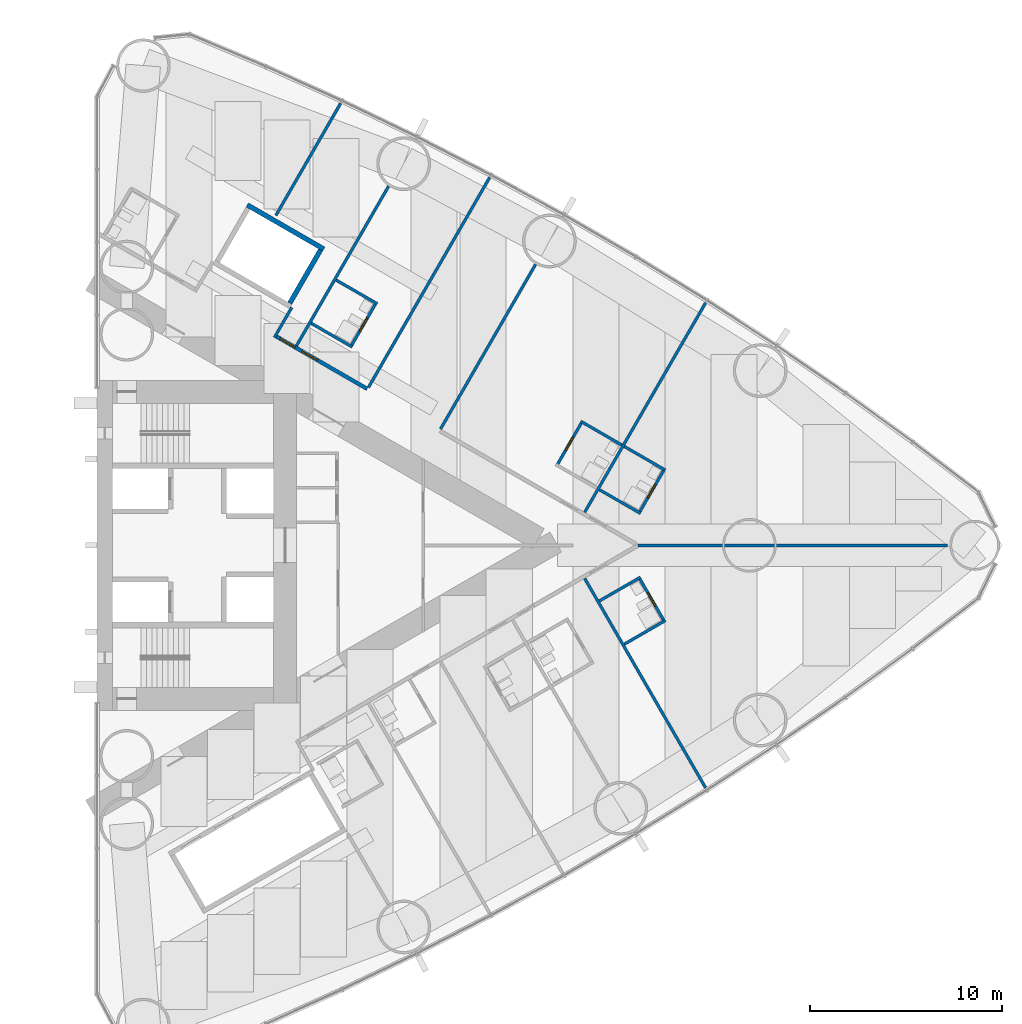
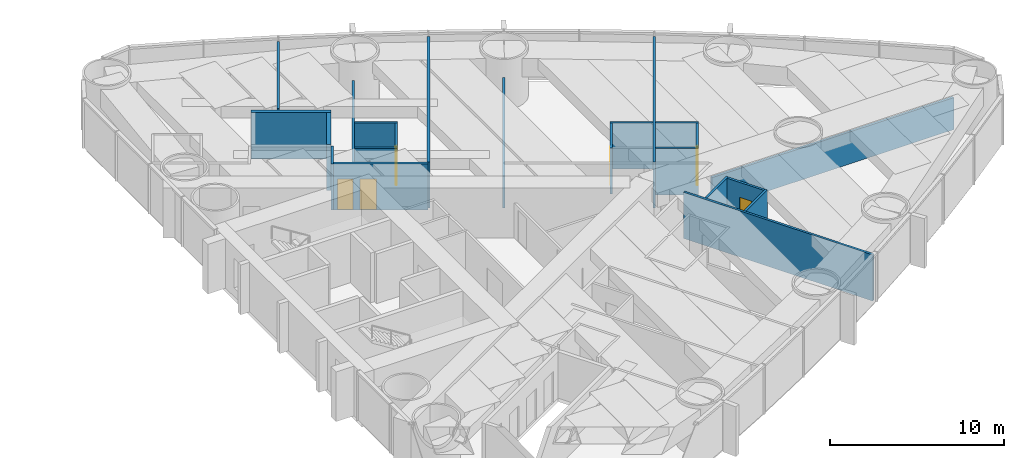
# One storey, part 15 of 18: 22 walls, 6 doors, 6 openings.
"""IFC4 building model written with IfcOpenShell, lengths in metres."""

from ifc_helpers import new_model, si_unit, direction, frame, frame_2d, origin, place, context, subcontext, project, spatial, rectangle, extrude, material, layer, layer_set, type_object, element, fill, save


model = new_model("IFC4")

# Units and contexts
model_context = context("Model", 3, precision=1e-05, world=origin(), true_north=direction((0.0, 1.0)))
body_context = subcontext(model_context, "Body", "Model", "MODEL_VIEW")
ifc_project = project(units=[si_unit("LENGTHUNIT", "METRE"), si_unit("AREAUNIT", "SQUARE_METRE"), si_unit("VOLUMEUNIT", "CUBIC_METRE"), si_unit("PLANEANGLEUNIT", "RADIAN"), si_unit("MASSUNIT", "GRAM", prefix="KILO")], contexts=[model_context])

# Site, building, storey
site_placement = place(None, origin())
site = spatial("IfcSite", under=ifc_project, at=site_placement, CompositionType="ELEMENT")
building_placement = place(site_placement, origin())
building = spatial("IfcBuilding", under=site, at=building_placement, Name="Lancet Gate Hotel", CompositionType="ELEMENT")
storey_placement = place(building_placement, frame((0.0, 0.0, 53.0)))
storey = spatial("IfcBuildingStorey", under=building, at=storey_placement, Name="L13", CompositionType="ELEMENT", Elevation=53.0)

# Wall
ifc_material_1 = material(Name="Moisture resistant board partition")
ifc_layer_1 = layer(ifc_material_1, 0.14990234375)
ifc_layer_set_1 = layer_set([ifc_layer_1], Name="Bathroom wall 150")
wall_type_1 = type_object("IfcWallType", Name="Bathroom wall 150", PredefinedType="PARTITIONING", material=ifc_layer_set_1)
wall_1_placement = place(storey_placement, frame((54.979736328125, -5.1513671875, 0.0), z_axis=(0.0, 0.0, 1.0), x_axis=(0.86604923931, 0.499958713387, 0.0)))
element("IfcWall", 1, at=wall_1_placement, inside=storey, type_object=wall_type_1, Name="T2 bathroom wall 150 L13", PredefinedType="PARTITIONING", context=body_context, shape_type="SweptSolid", body=[
    extrude(rectangle(XDim=2.474853515625, YDim=0.14990234375, at=frame_2d((1.2373046875, 0.0))), origin(), (0.0, 0.0, 1.0), 3.25),
])

# Wall, opening, door
wall_2_placement = place(storey_placement, frame((55.758056640625, -1.69970703125, 0.0), z_axis=(0.0, 0.0, 1.0), x_axis=(0.500006934395, -0.866021400173, 0.0)))
wall_2 = element("IfcWall", 2, at=wall_2_placement, inside=storey, type_object=wall_type_1, Name="T2 bathroom wall 150 L13", PredefinedType="PARTITIONING", context=body_context, shape_type="SweptSolid", body=[
    extrude(rectangle(XDim=2.60009765625, YDim=0.14990234375, at=frame_2d((1.300048828125, 0.0))), origin(), (0.0, 0.0, 1.0), 3.25),
])
opening_1_placement = place(wall_2_placement, frame((0.89990234375, 0.0, 0.0)))
opening_1 = element("IfcOpeningElement", 3, at=opening_1_placement, cuts=wall_2, Name="Opening 1357-B", PredefinedType="OPENING", context=body_context, shape_type="SweptSolid", body=[
    extrude(rectangle(XDim=0.800048828125, YDim=2.199951171875, at=frame_2d((0.39990234375, 1.10009765625))), frame((0.0, 0.0849609375, 0.0), z_axis=(0.0, -1.0, 0.0), x_axis=(1.0, 0.0, 0.0)), (0.0, 0.0, 1.0), 0.169921875),
])
ifc_material_2 = material(Name="Timber door set", Category="wood")
door_type_1 = type_object("IfcDoorType", Name="Bathroom door 800", OperationType="SINGLE_SWING_RIGHT", PredefinedType="DOOR", material=ifc_material_2)
door_1_placement = place(opening_1_placement, origin())
door_1 = element("IfcDoor", 4, at=door_1_placement, inside=storey, type_object=door_type_1, Name="1357-B", OperationType="SINGLE_SWING_RIGHT", OverallHeight=2.199951171875, OverallWidth=0.800048828125, PredefinedType="DOOR", context=body_context, shape_type="SweptSolid", body=[
    extrude(rectangle(XDim=0.800048828125, YDim=2.199951171875, at=frame_2d((0.39990234375, 1.10009765625))), frame((0.0, 0.02490234375, 0.0), z_axis=(0.0, -1.0, 0.0), x_axis=(1.0, 0.0, 0.0)), (0.0, 0.0, 1.0), 0.050048828125),
])
fill(opening_1, door_1)

# Walls
for number, where, z_axis, x_axis, name in (
    (5, (53.6796875, -2.89990234375, 0.0), (0.0, 0.0, 1.0), (0.866006523861, 0.500032699561, 0.0), "T2 bathroom wall 150 L13"),
    (6, (54.979736328125, 5.1513671875, 0.0), (0.0, 0.0, 1.0), (0.86604923931, -0.499958713387, 0.0), "T2 bathroom wall 150 L13"),
):
    element("IfcWall", number, at=place(storey_placement, frame(where, z_axis=z_axis, x_axis=x_axis)), inside=storey, type_object=wall_type_1, Name=name, PredefinedType="PARTITIONING", context=body_context, shape_type="SweptSolid", body=[
        extrude(rectangle(XDim=2.474853515625, YDim=0.14990234375, at=frame_2d((1.2373046875, 0.0))), origin(), (0.0, 0.0, 1.0), 3.25),
    ])

# Wall, opening, door
wall_3_placement = place(storey_placement, frame((55.758056640625, 1.69970703125, 0.0), z_axis=(0.0, 0.0, 1.0), x_axis=(0.500006934395, 0.866021400173, 0.0)))
wall_3 = element("IfcWall", 7, at=wall_3_placement, inside=storey, type_object=wall_type_1, Name="T2 bathroom wall 150 L13", PredefinedType="PARTITIONING", context=body_context, shape_type="SweptSolid", body=[
    extrude(rectangle(XDim=2.60009765625, YDim=0.14990234375, at=frame_2d((1.300048828125, 0.0))), origin(), (0.0, 0.0, 1.0), 3.25),
])
opening_2_placement = place(wall_3_placement, frame((0.89990234375, 0.0, 0.0)))
opening_2 = element("IfcOpeningElement", 8, at=opening_2_placement, cuts=wall_3, Name="Opening 1358-B", PredefinedType="OPENING", context=body_context, shape_type="SweptSolid", body=[
    extrude(rectangle(XDim=0.800048828125, YDim=2.199951171875, at=frame_2d((0.39990234375, 1.10009765625))), frame((0.0, 0.0849609375, 0.0), z_axis=(0.0, -1.0, 0.0), x_axis=(1.0, 0.0, 0.0)), (0.0, 0.0, 1.0), 0.169921875),
])
door_2_placement = place(opening_2_placement, origin())
door_2 = element("IfcDoor", 9, at=door_2_placement, inside=storey, type_object=door_type_1, Name="1358-B", OperationType="SINGLE_SWING_RIGHT", OverallHeight=2.199951171875, OverallWidth=0.800048828125, PredefinedType="DOOR", context=body_context, shape_type="SweptSolid", body=[
    extrude(rectangle(XDim=0.800048828125, YDim=2.199951171875, at=frame_2d((0.39990234375, 1.10009765625))), frame((0.0, 0.02490234375, 0.0), z_axis=(0.0, -1.0, 0.0), x_axis=(1.0, 0.0, 0.0)), (0.0, 0.0, 1.0), 0.050048828125),
])
fill(opening_2, door_2)

# Walls
for number, where, z_axis, x_axis, name in (
    (10, (53.6796875, 2.89990234375, 0.0), (0.0, 0.0, 1.0), (0.866006523861, -0.500032699561, 0.0), "T2 bathroom wall 150 L13"),
    (11, (52.706298828125, 6.4638671875, 0.0), (0.0, 0.0, 1.0), (0.86604923931, -0.499958713387, 0.0), "T2 bathroom wall 150 L13"),
):
    element("IfcWall", number, at=place(storey_placement, frame(where, z_axis=z_axis, x_axis=x_axis)), inside=storey, type_object=wall_type_1, Name=name, PredefinedType="PARTITIONING", context=body_context, shape_type="SweptSolid", body=[
        extrude(rectangle(XDim=2.474853515625, YDim=0.14990234375, at=frame_2d((1.2373046875, 0.0))), origin(), (0.0, 0.0, 1.0), 3.25),
    ])

# Wall, opening, door
wall_4_placement = place(storey_placement, frame((51.47119140625, 4.1748046875, 0.0), z_axis=(0.0, 0.0, 1.0), x_axis=(0.500006934395, 0.866021400173, 0.0)))
wall_4 = element("IfcWall", 12, at=wall_4_placement, inside=storey, type_object=wall_type_1, Name="T2 bathroom wall 150 L13", PredefinedType="PARTITIONING", context=body_context, shape_type="SweptSolid", body=[
    extrude(rectangle(XDim=2.60009765625, YDim=0.14990234375, at=frame_2d((1.300048828125, 0.0))), origin(), (0.0, 0.0, 1.0), 3.25),
])
opening_3_placement = place(wall_4_placement, frame((0.89990234375, 0.0, 0.0)))
opening_3 = element("IfcOpeningElement", 13, at=opening_3_placement, cuts=wall_4, Name="Opening 1359-B", PredefinedType="OPENING", context=body_context, shape_type="SweptSolid", body=[
    extrude(rectangle(XDim=0.800048828125, YDim=2.199951171875, at=frame_2d((0.39990234375, 1.10009765625))), frame((0.0, 0.0849609375, 0.0), z_axis=(0.0, -1.0, 0.0), x_axis=(1.0, 0.0, 0.0)), (0.0, 0.0, 1.0), 0.169921875),
])
door_3_placement = place(opening_3_placement, origin())
door_3 = element("IfcDoor", 14, at=door_3_placement, inside=storey, type_object=door_type_1, Name="1359-B", OperationType="SINGLE_SWING_RIGHT", OverallHeight=2.199951171875, OverallWidth=0.800048828125, PredefinedType="DOOR", context=body_context, shape_type="SweptSolid", body=[
    extrude(rectangle(XDim=0.800048828125, YDim=2.199951171875, at=frame_2d((0.39990234375, 1.10009765625))), frame((0.0, 0.02490234375, 0.0), z_axis=(0.0, -1.0, 0.0), x_axis=(1.0, 0.0, 0.0)), (0.0, 0.0, 1.0), 0.050048828125),
])
fill(opening_3, door_3)

# Wall
wall_5_placement = place(storey_placement, frame((39.960205078125, 13.822998046875, 0.0), z_axis=(0.0, 0.0, 1.0), x_axis=(0.866006523861, -0.500032699561, 0.0)))
element("IfcWall", 15, at=wall_5_placement, inside=storey, type_object=wall_type_1, Name="T2 bathroom wall 150 L13", PredefinedType="PARTITIONING", context=body_context, shape_type="SweptSolid", body=[
    extrude(rectangle(XDim=2.474853515625, YDim=0.14990234375, at=frame_2d((1.2373046875, 0.0))), origin(), (0.0, 0.0, 1.0), 3.25),
])

# Wall, opening, door
wall_6_placement = place(storey_placement, frame((40.738525390625, 10.371337890625, 0.0), z_axis=(0.0, 0.0, 1.0), x_axis=(0.500006934395, 0.866021400173, 0.0)))
wall_6 = element("IfcWall", 16, at=wall_6_placement, inside=storey, type_object=wall_type_1, Name="T2 bathroom wall 150 L13", PredefinedType="PARTITIONING", context=body_context, shape_type="SweptSolid", body=[
    extrude(rectangle(XDim=2.60009765625, YDim=0.14990234375, at=frame_2d((1.300048828125, 0.0))), origin(), (0.0, 0.0, 1.0), 3.25),
])
opening_4_placement = place(wall_6_placement, frame((0.89990234375, 0.0, 0.0)))
opening_4 = element("IfcOpeningElement", 17, at=opening_4_placement, cuts=wall_6, Name="Opening 1362-B", PredefinedType="OPENING", context=body_context, shape_type="SweptSolid", body=[
    extrude(rectangle(XDim=0.800048828125, YDim=2.199951171875, at=frame_2d((0.39990234375, 1.10009765625))), frame((0.0, 0.0849609375, 0.0), z_axis=(0.0, -1.0, 0.0), x_axis=(1.0, 0.0, 0.0)), (0.0, 0.0, 1.0), 0.169921875),
])
door_4_placement = place(opening_4_placement, origin())
door_4 = element("IfcDoor", 18, at=door_4_placement, inside=storey, type_object=door_type_1, Name="1362-B", OperationType="SINGLE_SWING_RIGHT", OverallHeight=2.199951171875, OverallWidth=0.800048828125, PredefinedType="DOOR", context=body_context, shape_type="SweptSolid", body=[
    extrude(rectangle(XDim=0.800048828125, YDim=2.199951171875, at=frame_2d((0.39990234375, 1.10009765625))), frame((0.0, 0.02490234375, 0.0), z_axis=(0.0, -1.0, 0.0), x_axis=(1.0, 0.0, 0.0)), (0.0, 0.0, 1.0), 0.050048828125),
])
fill(opening_4, door_4)

# Wall
wall_7_placement = place(storey_placement, frame((38.66015625, 11.5712890625, 0.0), z_axis=(0.0, 0.0, 1.0), x_axis=(0.866006523861, -0.500032699561, 0.0)))
element("IfcWall", 19, at=wall_7_placement, inside=storey, type_object=wall_type_1, Name="T2 bathroom wall 150 L13", PredefinedType="PARTITIONING", context=body_context, shape_type="SweptSolid", body=[
    extrude(rectangle(XDim=2.474853515625, YDim=0.14990234375, at=frame_2d((1.2373046875, 0.0))), origin(), (0.0, 0.0, 1.0), 3.25),
])

# Wall, openings, doors
ifc_material_3 = material(Name="Gypsum board partition")
ifc_layer_2 = layer(ifc_material_3, 0.199951171875)
ifc_layer_set_2 = layer_set([ifc_layer_2], Name="Corridor wall 200")
wall_type_2 = type_object("IfcWallType", Name="Corridor wall 200", PredefinedType="PARTITIONING", material=ifc_layer_set_2)
wall_8_placement = place(storey_placement, frame((36.833984375, 10.8935546875, 0.0), z_axis=(0.0, 0.0, 1.0), x_axis=(0.866031136856, -0.499990069898, 0.0)))
wall_8 = element("IfcWall", 20, at=wall_8_placement, inside=storey, type_object=wall_type_2, Name="T2 corridor wall 200 L13", PredefinedType="PARTITIONING", context=body_context, shape_type="SweptSolid", body=[
    extrude(rectangle(XDim=5.47509765625, YDim=0.199951171875, at=frame_2d((2.737548828125, 0.0))), origin(), (0.0, 0.0, 1.0), 3.25),
])
opening_5_placement = place(wall_8_placement, frame((1.54248046875, 0.0, 0.0)))
opening_5 = element("IfcOpeningElement", 21, at=opening_5_placement, cuts=wall_8, Name="Opening 1362-E", PredefinedType="OPENING", context=body_context, shape_type="SweptSolid", body=[
    extrude(rectangle(XDim=0.949951171875, YDim=2.199951171875, at=frame_2d((0.47509765625, 1.10009765625))), frame((0.0, 0.10986328125, 0.0), z_axis=(0.0, -1.0, 0.0), x_axis=(1.0, 0.0, 0.0)), (0.0, 0.0, 1.0), 0.219970703125),
])
opening_6_placement = place(wall_8_placement, frame((0.246337890625, 0.0, 0.0)))
opening_6 = element("IfcOpeningElement", 22, at=opening_6_placement, cuts=wall_8, Name="Opening T2-L13-LO2", PredefinedType="OPENING", context=body_context, shape_type="SweptSolid", body=[
    extrude(rectangle(XDim=0.89990234375, YDim=2.199951171875, at=frame_2d((0.449951171875, 1.10009765625))), frame((0.0, 0.10986328125, 0.0), z_axis=(0.0, -1.0, 0.0), x_axis=(1.0, 0.0, 0.0)), (0.0, 0.0, 1.0), 0.219970703125),
])
ifc_material_4 = material(Name="Timber door set", Category="wood")
door_type_2 = type_object("IfcDoorType", Name="Guest room entry door 950", OperationType="SINGLE_SWING_LEFT", PredefinedType="DOOR", material=ifc_material_4)
door_5_placement = place(opening_5_placement, origin())
door_5 = element("IfcDoor", 23, at=door_5_placement, inside=storey, type_object=door_type_2, Name="1362-E", OperationType="SINGLE_SWING_LEFT", OverallHeight=2.199951171875, OverallWidth=0.949951171875, PredefinedType="DOOR", context=body_context, shape_type="SweptSolid", body=[
    extrude(rectangle(XDim=0.949951171875, YDim=2.199951171875, at=frame_2d((0.47509765625, 1.10009765625))), frame((0.0, 0.02490234375, 0.0), z_axis=(0.0, -1.0, 0.0), x_axis=(1.0, 0.0, 0.0)), (0.0, 0.0, 1.0), 0.050048828125),
])
fill(opening_5, door_5)
door_6_placement = place(opening_6_placement, origin())
door_6 = element("IfcDoor", 24, at=door_6_placement, inside=storey, type_object=door_type_2, Name="T2-L13-LO2", OperationType="SINGLE_SWING_LEFT", OverallHeight=2.199951171875, OverallWidth=0.89990234375, PredefinedType="DOOR", context=body_context, shape_type="SweptSolid", body=[
    extrude(rectangle(XDim=0.89990234375, YDim=2.199951171875, at=frame_2d((0.449951171875, 1.10009765625))), frame((0.0, 0.02490234375, 0.0), z_axis=(0.0, -1.0, 0.0), x_axis=(1.0, 0.0, 0.0)), (0.0, 0.0, 1.0), 0.050048828125),
])
fill(opening_6, door_6)

# Walls
ifc_material_5 = material(Name="Gypsum board partition")
ifc_layer_3 = layer(ifc_material_5, 0.25)
ifc_layer_set_3 = layer_set([ifc_layer_3], Name="Lift shaft partition 250")
wall_type_3 = type_object("IfcWallType", Name="Lift shaft partition 250", PredefinedType="PARTITIONING", material=ifc_layer_set_3)
wall_9_placement = place(storey_placement, frame((35.33349609375, 17.73583984375, 0.0), z_axis=(0.0, 0.0, 1.0), x_axis=(0.866043305498, -0.49996899204, 0.0)))
element("IfcWall", 25, at=wall_9_placement, inside=storey, type_object=wall_type_3, Name="T2 lift shaft wall EX L13", PredefinedType="PARTITIONING", context=body_context, shape_type="SweptSolid", body=[
    extrude(rectangle(XDim=4.600341796875, YDim=0.25, at=frame_2d((2.30029296875, 0.0))), origin(), (0.0, 0.0, 1.0), 3.25),
])
wall_10_placement = place(storey_placement, frame((37.546630859375, 12.617919921875, 0.0), z_axis=(0.0, 0.0, 1.0), x_axis=(0.499929347863, 0.866066190972, 0.0)))
element("IfcWall", 26, at=wall_10_placement, inside=storey, type_object=wall_type_3, Name="T2 lift shaft wall EX L13", PredefinedType="PARTITIONING", context=body_context, shape_type="SweptSolid", body=[
    extrude(rectangle(XDim=3.20068359375, YDim=0.25, at=frame_2d((1.600341796875, 0.0))), origin(), (0.0, 0.0, 1.0), 3.25),
])
ifc_material_6 = material(Name="Gypsum board partition")
ifc_layer_4 = layer(ifc_material_6, 0.14990234375)
ifc_layer_set_4 = layer_set([ifc_layer_4], Name="Party wall 150")
wall_type_4 = type_object("IfcWallType", Name="Party wall 150", PredefinedType="PARTITIONING", material=ifc_layer_set_4)
wall_11_placement = place(storey_placement, frame((52.914794921875, -1.724853515625, 0.0), z_axis=(0.0, 0.0, 1.0), x_axis=(0.499997163113, -0.866027041656, 0.0)))
element("IfcWall", 27, at=wall_11_placement, inside=storey, type_object=wall_type_4, Name="T2 party wall 150 L13", PredefinedType="PARTITIONING", context=body_context, shape_type="SweptSolid", body=[
    extrude(rectangle(XDim=12.5908203125, YDim=0.14990234375, at=frame_2d((6.29541015625, 0.0))), origin(), (0.0, 0.0, 1.0), 3.25),
])
wall_12_placement = place(storey_placement, frame((37.895263671875, 10.396484375, 0.0), z_axis=(0.0, 0.0, 1.0), x_axis=(0.499995616528, 0.866027934568, 0.0)))
element("IfcWall", 28, at=wall_12_placement, inside=storey, type_object=wall_type_4, Name="T2 party wall 150 L13", PredefinedType="PARTITIONING", context=body_context, shape_type="SweptSolid", body=[
    extrude(rectangle(XDim=9.59326171875, YDim=0.14990234375, at=frame_2d((4.796630859375, 0.0))), origin(), (0.0, 0.0, 1.0), 2.25),
])
wall_13_placement = place(storey_placement, frame((41.6474609375, 8.22998046875, 0.0), z_axis=(0.0, 0.0, 1.0), x_axis=(0.49998590462, 0.866033541603, 0.0)))
element("IfcWall", 29, at=wall_13_placement, inside=storey, type_object=wall_type_4, Name="T2 party wall 150 L13", PredefinedType="PARTITIONING", context=body_context, shape_type="SweptSolid", body=[
    extrude(rectangle(XDim=12.620849609375, YDim=0.14990234375, at=frame_2d((6.310546875, 0.0))), origin(), (0.0, 0.0, 1.0), 3.25),
])
wall_14_placement = place(storey_placement, frame((45.40283203125, 6.061767578125, 0.0), z_axis=(0.0, 0.0, 1.0), x_axis=(0.500013434677, 0.866017647131, 0.0)))
element("IfcWall", 30, at=wall_14_placement, inside=storey, type_object=wall_type_4, Name="T2 party wall 150 L13", PredefinedType="PARTITIONING", context=body_context, shape_type="SweptSolid", body=[
    extrude(rectangle(XDim=9.901611328125, YDim=0.14990234375, at=frame_2d((4.95068359375, 0.0))), origin(), (0.0, 0.0, 1.0), 2.25),
])
wall_15_placement = place(storey_placement, frame((52.914794921875, 1.724853515625, 0.0), z_axis=(0.0, 0.0, 1.0), x_axis=(0.499997163113, 0.866027041656, 0.0)))
element("IfcWall", 31, at=wall_15_placement, inside=storey, type_object=wall_type_4, Name="T2 party wall 150 L13", PredefinedType="PARTITIONING", context=body_context, shape_type="SweptSolid", body=[
    extrude(rectangle(XDim=12.5908203125, YDim=0.14990234375, at=frame_2d((6.29541015625, 0.0))), origin(), (0.0, 0.0, 1.0), 3.25),
])
wall_16_placement = place(storey_placement, frame((55.7021484375, 0.0, 0.0), z_axis=(0.0, 0.0, 1.0), x_axis=(1.0, 0.0, 0.0)))
element("IfcWall", 32, at=wall_16_placement, inside=storey, type_object=wall_type_4, Name="T2 party wall 150 L13", PredefinedType="PARTITIONING", context=body_context, shape_type="SweptSolid", body=[
    extrude(rectangle(XDim=16.116943359375, YDim=0.14990234375, at=frame_2d((8.05859375, 0.0))), origin(), (0.0, 0.0, 1.0), 2.25),
])
wall_17_placement = place(storey_placement, frame((36.823974609375, 17.19287109375, 0.0), z_axis=(0.0, 0.0, 1.0), x_axis=(0.500027691974, 0.866009415226, 0.0)))
element("IfcWall", 33, at=wall_17_placement, inside=storey, type_object=wall_type_4, Name="T2 party wall 150 L13", PredefinedType="PARTITIONING", context=body_context, shape_type="SweptSolid", body=[
    extrude(rectangle(XDim=6.73876953125, YDim=0.14990234375, at=frame_2d((3.369384765625, 0.0))), origin(), (0.0, 0.0, 1.0), 3.25),
])
ifc_material_7 = material(Name="Gypsum board partition")
ifc_layer_5 = layer(ifc_material_7, 0.14990234375)
ifc_layer_set_5 = layer_set([ifc_layer_5], Name="Service room wall 150")
wall_type_5 = type_object("IfcWallType", Name="Service room wall 150", PredefinedType="PARTITIONING", material=ifc_layer_set_5)
wall_18_placement = place(storey_placement, frame((36.7451171875, 10.829345703125, 0.0), z_axis=(0.0, 0.0, 1.0), x_axis=(0.499921502396, 0.866070719654, 0.0)))
element("IfcWall", 34, at=wall_18_placement, inside=storey, type_object=wall_type_5, Name="T2 service room wall 150 L13", PredefinedType="PARTITIONING", context=body_context, shape_type="SweptSolid", body=[
    extrude(rectangle(XDim=1.804931640625, YDim=0.14990234375, at=frame_2d((0.90234375, 0.0))), origin(), (0.0, 0.0, 1.0), 3.25),
])

save(model, "model.ifc")
